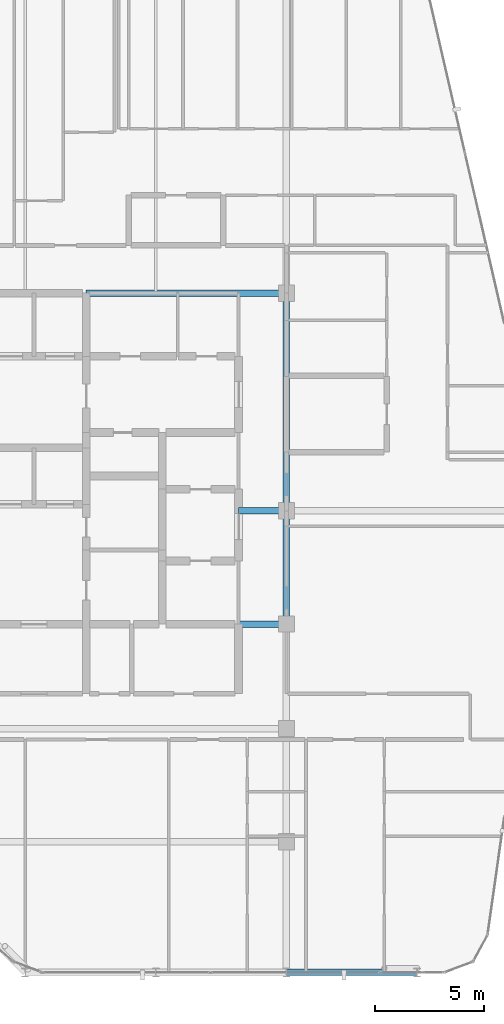
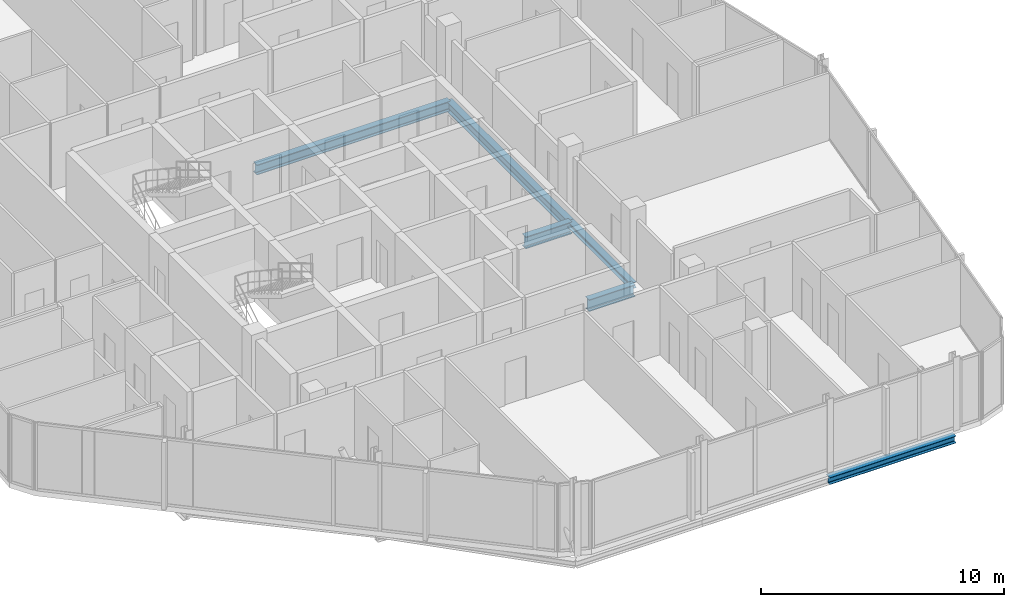
# One storey, part 13 of 30: 6 beams.
"""IFC4 building model written with IfcOpenShell, lengths in metres."""

from ifc_helpers import new_model, si_unit, direction, frame, origin, origin_2d, place, context, subcontext, project, spatial, i_section, extrude, material, material_profile, profile_set, type_object, element, save


model = new_model("IFC4")

# Units and contexts
model_context = context("Model", 3, precision=1e-05, world=origin(), true_north=direction((0.0, 1.0)))
body_context = subcontext(model_context, "Body", "Model", "MODEL_VIEW")
ifc_project = project(units=[si_unit("LENGTHUNIT", "METRE"), si_unit("AREAUNIT", "SQUARE_METRE"), si_unit("VOLUMEUNIT", "CUBIC_METRE"), si_unit("PLANEANGLEUNIT", "RADIAN"), si_unit("MASSUNIT", "GRAM", prefix="KILO")], contexts=[model_context])

# Site, building, storey
site_placement = place(None, origin())
site = spatial("IfcSite", under=ifc_project, at=site_placement, CompositionType="ELEMENT")
building_placement = place(site_placement, origin())
building = spatial("IfcBuilding", under=site, at=building_placement, Name="Keshet Zoharim Tower", CompositionType="ELEMENT")
storey_placement = place(building_placement, frame((0.0, 0.0, 280.60009765625)))
storey = spatial("IfcBuildingStorey", under=building, at=storey_placement, Name="L70", CompositionType="ELEMENT", Elevation=280.60009765625)

# Beams
ifc_material = material(Name="Steel S355", Category="steel")
ifc_material_profile_1 = material_profile(ifc_material, i_section(OverallWidth=0.300048828125, OverallDepth=0.60009765625, WebThickness=0.015380859375, FlangeThickness=0.030029296875, FilletRadius=0.027099609375, at=origin_2d()), Name="HEB600")
ifc_profile_set_1 = profile_set([ifc_material_profile_1], Name="Steel S355")
beam_type_1 = type_object("IfcBeamType", Name="BM-CLK-HB600", PredefinedType="BEAM", material=ifc_profile_set_1)
for number, where, z_axis, x_axis, name in (
    (1, (30.800048828125, 22.699951171875, -0.610107421875), (1.0, 0.0, 0.0), (0.0, 1.0, 0.0), "L70 Core Wall Link Girder 01"),
    (2, (30.800048828125, 27.89990234375, -0.610107421875), (1.0, 0.0, 0.0), (0.0, 1.0, 0.0), "L70 Core Wall Link Girder 02"),
):
    element("IfcBeam", number, at=place(storey_placement, frame(where, z_axis=z_axis, x_axis=x_axis)), inside=storey, type_object=beam_type_1, Name=name, PredefinedType="BEAM", context=body_context, shape_type="SweptSolid", body=[
        extrude(i_section(OverallWidth=0.300048828125, OverallDepth=0.60009765625, WebThickness=0.015380859375, FlangeThickness=0.030029296875, FilletRadius=0.027099609375, at=origin_2d()), origin(), (0.0, 0.0, 1.0), 2.199951171875),
    ])
ifc_material_profile_2 = material_profile(ifc_material, i_section(OverallWidth=0.300048828125, OverallDepth=0.5, WebThickness=0.014404296875, FlangeThickness=0.028076171875, FilletRadius=0.027099609375, at=origin_2d()), Name="HEB500")
ifc_profile_set_2 = profile_set([ifc_material_profile_2], Name="Steel S355")
beam_type_2 = type_object("IfcBeamType", Name="BM-MED-HB500", PredefinedType="BEAM", material=ifc_profile_set_2)
beam_1_placement = place(storey_placement, frame((23.800048828125, 37.89990234375, -0.56005859375), z_axis=(1.0, 0.0, 0.0), x_axis=(0.0, 1.0, 0.0)))
element("IfcBeam", 3, at=beam_1_placement, inside=storey, type_object=beam_type_2, Name="L70 Primary Girder X-009", PredefinedType="BEAM", context=body_context, shape_type="SweptSolid", body=[
    extrude(i_section(OverallWidth=0.300048828125, OverallDepth=0.5, WebThickness=0.014404296875, FlangeThickness=0.028076171875, FilletRadius=0.027099609375, at=origin_2d()), origin(), (0.0, 0.0, 1.0), 9.199951171875),
])
beam_2_placement = place(storey_placement, frame((33.0, 27.89990234375, -0.56005859375), z_axis=(0.0, 1.0, 0.0), x_axis=(-1.0, 0.0, 0.0)))
element("IfcBeam", 4, at=beam_2_placement, inside=storey, type_object=beam_type_2, Name="L70 Primary Girder Y-008", PredefinedType="BEAM", context=body_context, shape_type="SweptSolid", body=[
    extrude(i_section(OverallWidth=0.300048828125, OverallDepth=0.5, WebThickness=0.014404296875, FlangeThickness=0.028076171875, FilletRadius=0.027099609375, at=origin_2d()), origin(), (0.0, 0.0, 1.0), 10.0),
])
ifc_material_profile_3 = material_profile(ifc_material, i_section(OverallWidth=0.300048828125, OverallDepth=0.2900390625, WebThickness=0.008544921875, FlangeThickness=0.013916015625, FilletRadius=0.027099609375, at=origin_2d()), Name="HEA300")
ifc_profile_set_3 = profile_set([ifc_material_profile_3], Name="Steel S355")
beam_type_3 = type_object("IfcBeamType", Name="BM-PRI-HA300", PredefinedType="BEAM", material=ifc_profile_set_3)
beam_3_placement = place(storey_placement, frame((33.0, 22.699951171875, -0.455078125), z_axis=(0.0, 1.0, 0.0), x_axis=(-1.0, 0.0, 0.0)))
element("IfcBeam", 5, at=beam_3_placement, inside=storey, type_object=beam_type_3, Name="L70 Primary Girder Y-007", PredefinedType="BEAM", context=body_context, shape_type="SweptSolid", body=[
    extrude(i_section(OverallWidth=0.300048828125, OverallDepth=0.2900390625, WebThickness=0.008544921875, FlangeThickness=0.013916015625, FilletRadius=0.027099609375, at=origin_2d()), origin(), (0.0, 0.0, 1.0), 5.199951171875),
])
ifc_material_profile_4 = material_profile(ifc_material, i_section(OverallWidth=0.300048828125, OverallDepth=0.35009765625, WebThickness=0.010009765625, FlangeThickness=0.017578125, FilletRadius=0.027099609375, at=origin_2d()), Name="HEA360")
ifc_profile_set_4 = profile_set([ifc_material_profile_4], Name="Steel S355")
beam_type_4 = type_object("IfcBeamType", Name="BM-PRI-HA360", PredefinedType="BEAM", material=ifc_profile_set_4)
beam_4_placement = place(storey_placement, frame((33.0, 6.699951171875, -0.485107421875), z_axis=(1.0, 0.0, 0.0), x_axis=(0.0, 1.0, 0.0)))
element("IfcBeam", 6, at=beam_4_placement, inside=storey, type_object=beam_type_4, Name="L70 Primary Girder X-003", PredefinedType="BEAM", context=body_context, shape_type="SweptSolid", body=[
    extrude(i_section(OverallWidth=0.300048828125, OverallDepth=0.35009765625, WebThickness=0.010009765625, FlangeThickness=0.017578125, FilletRadius=0.027099609375, at=origin_2d()), origin(), (0.0, 0.0, 1.0), 6.0),
])

save(model, "model.ifc")
